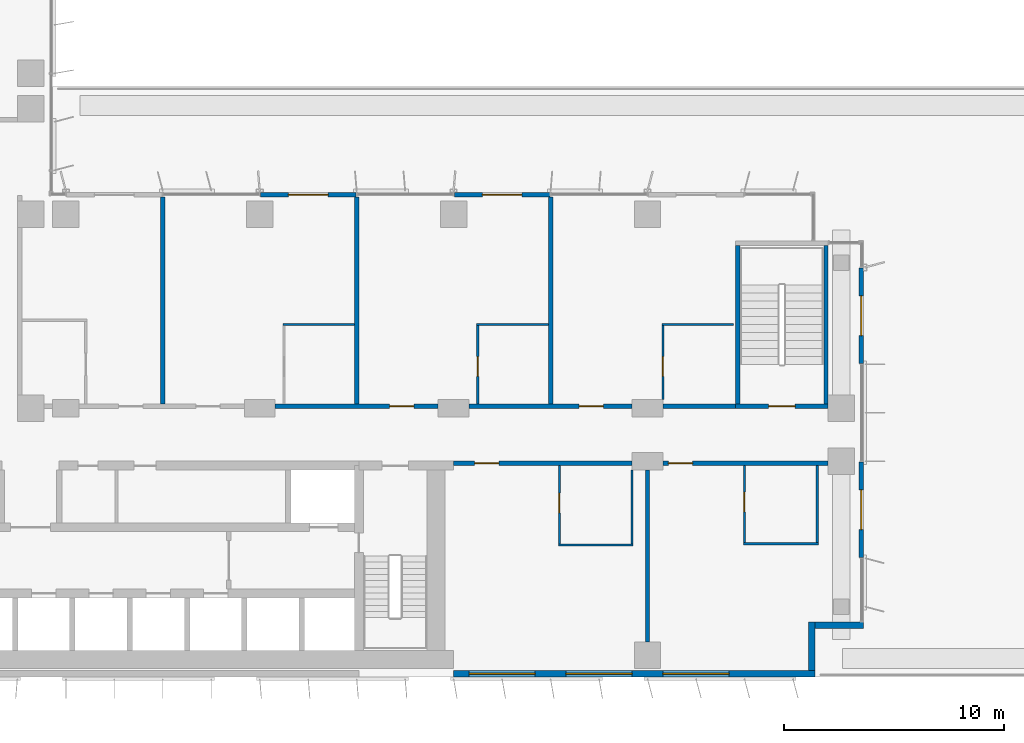
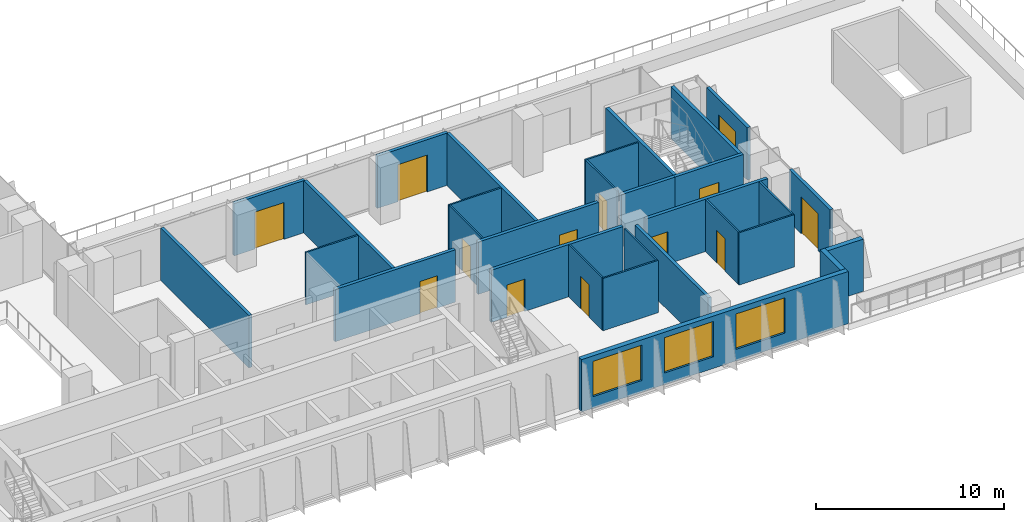
# One storey, part 16 of 27: 30 walls, 13 doors, 3 windows, 16 openings.
"""IFC4 building model written with IfcOpenShell, lengths in metres."""

from ifc_helpers import new_model, si_unit, direction, frame, frame_2d, origin, place, context, subcontext, project, spatial, rectangle, extrude, material, layer, layer_set, type_object, element, fill, save


model = new_model("IFC4")

# Units and contexts
model_context = context("Model", 3, precision=1e-05, world=origin(), true_north=direction((0.0, 1.0)))
body_context = subcontext(model_context, "Body", "Model", "MODEL_VIEW")
ifc_project = project(units=[si_unit("LENGTHUNIT", "METRE"), si_unit("AREAUNIT", "SQUARE_METRE"), si_unit("VOLUMEUNIT", "CUBIC_METRE"), si_unit("PLANEANGLEUNIT", "RADIAN"), si_unit("MASSUNIT", "GRAM", prefix="KILO")], contexts=[model_context])

# Site, building, storey
site_placement = place(None, origin())
site = spatial("IfcSite", under=ifc_project, at=site_placement, CompositionType="ELEMENT")
building_placement = place(site_placement, origin())
building = spatial("IfcBuilding", under=site, at=building_placement, Name="Kemantara Hotel Tower", CompositionType="ELEMENT")
storey_placement = place(building_placement, frame((0.0, 0.0, 83.39990234375)))
storey = spatial("IfcBuildingStorey", under=building, at=storey_placement, Name="L19", CompositionType="ELEMENT", Elevation=83.39990234375)

# Wall, openings, windows
ifc_material_1 = material(Name="Bronze anodised aluminium cladding on insulated steel stud wall", Category="steel")
ifc_layer_1 = layer(ifc_material_1, 0.300048828125)
ifc_layer_set_1 = layer_set([ifc_layer_1], Name="Bronze anodised aluminium cladding on insulated steel stud wall")
wall_type_1 = type_object("IfcWallType", Name="BRONZE METAL-CLAD EXTERNAL WALL 300", PredefinedType="STANDARD", material=ifc_layer_set_1)
wall_1_placement = place(storey_placement, frame((45.0, 0.14990234375, 0.0), z_axis=(0.0, 0.0, 1.0), x_axis=(1.0, 0.0, 0.0)))
wall_1 = element("IfcWall", 1, at=wall_1_placement, inside=storey, type_object=wall_type_1, Name="EXTERNAL WALL L19 T2-R07-3", PredefinedType="STANDARD", context=body_context, shape_type="SweptSolid", body=[
    extrude(rectangle(XDim=16.39990234375, YDim=0.300048828125, at=frame_2d((8.199951171875, 0.0))), origin(), (0.0, 0.0, 1.0), 3.400146484375),
])
opening_1_placement = place(wall_1_placement, frame((0.699951171875, 0.0, 0.75)))
opening_1 = element("IfcOpeningElement", 2, at=opening_1_placement, cuts=wall_1, Name="Opening W1", PredefinedType="OPENING", context=body_context, shape_type="SweptSolid", body=[
    extrude(rectangle(XDim=3.0, YDim=2.300048828125, at=frame_2d((1.5, 1.14990234375))), frame((0.0, 0.159912109375, 0.0), z_axis=(0.0, -1.0, 0.0), x_axis=(1.0, 0.0, 0.0)), (0.0, 0.0, 1.0), 0.320068359375),
])
opening_2_placement = place(wall_1_placement, frame((5.10009765625, 0.0, 0.75)))
opening_2 = element("IfcOpeningElement", 3, at=opening_2_placement, cuts=wall_1, Name="Opening W1", PredefinedType="OPENING", context=body_context, shape_type="SweptSolid", body=[
    extrude(rectangle(XDim=3.0, YDim=2.300048828125, at=frame_2d((1.5, 1.14990234375))), frame((0.0, 0.159912109375, 0.0), z_axis=(0.0, -1.0, 0.0), x_axis=(1.0, 0.0, 0.0)), (0.0, 0.0, 1.0), 0.320068359375),
])
opening_3_placement = place(wall_1_placement, frame((9.5, 0.0, 0.75)))
opening_3 = element("IfcOpeningElement", 4, at=opening_3_placement, cuts=wall_1, Name="Opening W1", PredefinedType="OPENING", context=body_context, shape_type="SweptSolid", body=[
    extrude(rectangle(XDim=3.0, YDim=2.300048828125, at=frame_2d((1.5, 1.14990234375))), frame((0.0, 0.159912109375, 0.0), z_axis=(0.0, -1.0, 0.0), x_axis=(1.0, 0.0, 0.0)), (0.0, 0.0, 1.0), 0.320068359375),
])
ifc_material_2 = material(Name="Low-E tinted double insulated glass in bronze anodised aluminium frame", Category="aluminium")
window_type = type_object("IfcWindowType", Name="CHICAGO WINDOW, TRIPLE PANEL 3000x2300", PartitioningType="TRIPLE_PANEL_VERTICAL", PredefinedType="WINDOW", material=ifc_material_2)
window_1_placement = place(opening_1_placement, origin())
window_1 = element("IfcWindow", 5, at=window_1_placement, inside=storey, type_object=window_type, Name="CHICAGO WINDOW L19 T2-R07-450", OverallHeight=2.300048828125, OverallWidth=3.0, PartitioningType="SINGLE_PANEL", PredefinedType="WINDOW", context=body_context, shape_type="SweptSolid", body=[
    extrude(rectangle(XDim=3.0, YDim=2.300048828125, at=frame_2d((1.5, 1.14990234375))), frame((0.0, 0.030029296875, 0.0), z_axis=(0.0, -1.0, 0.0), x_axis=(1.0, 0.0, 0.0)), (0.0, 0.0, 1.0), 0.06005859375),
])
fill(opening_1, window_1)
window_2_placement = place(opening_2_placement, origin())
window_2 = element("IfcWindow", 6, at=window_2_placement, inside=storey, type_object=window_type, Name="CHICAGO WINDOW L19 T2-R07-494", OverallHeight=2.300048828125, OverallWidth=3.0, PartitioningType="SINGLE_PANEL", PredefinedType="WINDOW", context=body_context, shape_type="SweptSolid", body=[
    extrude(rectangle(XDim=3.0, YDim=2.300048828125, at=frame_2d((1.5, 1.14990234375))), frame((0.0, 0.030029296875, 0.0), z_axis=(0.0, -1.0, 0.0), x_axis=(1.0, 0.0, 0.0)), (0.0, 0.0, 1.0), 0.06005859375),
])
fill(opening_2, window_2)
window_3_placement = place(opening_3_placement, origin())
window_3 = element("IfcWindow", 7, at=window_3_placement, inside=storey, type_object=window_type, Name="CHICAGO WINDOW L19 T2-R07-538", OverallHeight=2.300048828125, OverallWidth=3.0, PartitioningType="SINGLE_PANEL", PredefinedType="WINDOW", context=body_context, shape_type="SweptSolid", body=[
    extrude(rectangle(XDim=3.0, YDim=2.300048828125, at=frame_2d((1.5, 1.14990234375))), frame((0.0, 0.030029296875, 0.0), z_axis=(0.0, -1.0, 0.0), x_axis=(1.0, 0.0, 0.0)), (0.0, 0.0, 1.0), 0.06005859375),
])
fill(opening_3, window_3)

# Walls
wall_2_placement = place(storey_placement, frame((61.25, 0.300048828125, 0.0), z_axis=(0.0, 0.0, 1.0), x_axis=(0.0, 1.0, 0.0)))
element("IfcWall", 8, at=wall_2_placement, inside=storey, type_object=wall_type_1, Name="EXTERNAL WALL L19 T2-R08", PredefinedType="STANDARD", context=body_context, shape_type="SweptSolid", body=[
    extrude(rectangle(XDim=2.199951171875, YDim=0.300048828125, at=frame_2d((1.10009765625, 0.0))), origin(), (0.0, 0.0, 1.0), 3.400146484375),
])
wall_3_placement = place(storey_placement, frame((61.39990234375, 2.35009765625, 0.0), z_axis=(0.0, 0.0, 1.0), x_axis=(1.0, 0.0, 0.0)))
element("IfcWall", 9, at=wall_3_placement, inside=storey, type_object=wall_type_1, Name="EXTERNAL WALL L19 T2-R09", PredefinedType="STANDARD", context=body_context, shape_type="SweptSolid", body=[
    extrude(rectangle(XDim=2.2001953125, YDim=0.300048828125, at=frame_2d((1.10009765625, 0.0))), origin(), (0.0, 0.0, 1.0), 3.400146484375),
])

# Wall, opening, door
ifc_material_3 = material(Name="Gypsum board partition, steel studs and mineral wool, 200 mm", Category="steel")
ifc_layer_2 = layer(ifc_material_3, 0.199951171875)
ifc_layer_set_2 = layer_set([ifc_layer_2], Name="Gypsum board partition, steel studs and mineral wool, 200 mm")
wall_type_2 = type_object("IfcWallType", Name="CORRIDOR WALL 200", PredefinedType="PARTITIONING", material=ifc_layer_set_2)
wall_4_placement = place(storey_placement, frame((53.099853515625, 9.699951171875, 0.0), z_axis=(0.0, 0.0, 1.0), x_axis=(-1.0, 0.0, 0.0)))
wall_4 = element("IfcWall", 10, at=wall_4_placement, inside=storey, type_object=wall_type_2, Name="CORRIDOR WALL 200 001", PredefinedType="PARTITIONING", context=body_context, shape_type="SweptSolid", body=[
    extrude(rectangle(XDim=8.099853515625, YDim=0.199951171875, at=frame_2d((4.0498046875, 0.0))), origin(), (0.0, 0.0, 1.0), 3.400146484375),
])
opening_4_placement = place(wall_4_placement, frame((6.0498046875, 0.0, 0.0)))
opening_4 = element("IfcOpeningElement", 11, at=opening_4_placement, cuts=wall_4, Name="Opening F07-001", PredefinedType="OPENING", context=body_context, shape_type="SweptSolid", body=[
    extrude(rectangle(XDim=1.10009765625, YDim=2.10009765625, at=frame_2d((0.550048828125, 1.050048828125))), frame((0.0, 0.10986328125, 0.0), z_axis=(0.0, -1.0, 0.0), x_axis=(1.0, 0.0, 0.0)), (0.0, 0.0, 1.0), 0.219970703125),
])
ifc_material_4 = material(Name="Hardwood veneer door leaf with steel frame", Category="steel")
door_type_1 = type_object("IfcDoorType", Name="SUITE ENTRANCE DOOR 1100 X 2100 FD30S", OperationType="NOTDEFINED", PredefinedType="DOOR", material=ifc_material_4)
door_1_placement = place(opening_4_placement, origin())
door_1 = element("IfcDoor", 12, at=door_1_placement, inside=storey, type_object=door_type_1, Name="SUITE ENTRANCE DOOR F07-001", OperationType="SINGLE_SWING_RIGHT", OverallHeight=2.10009765625, OverallWidth=1.10009765625, PredefinedType="DOOR", context=body_context, shape_type="SweptSolid", body=[
    extrude(rectangle(XDim=1.10009765625, YDim=2.10009765625, at=frame_2d((0.550048828125, 1.050048828125))), frame((0.0, 0.02490234375, 0.0), z_axis=(0.0, -1.0, 0.0), x_axis=(1.0, 0.0, 0.0)), (0.0, 0.0, 1.0), 0.050048828125),
])
fill(opening_4, door_1)

wall_5_placement = place(storey_placement, frame((62.0, 9.699951171875, 0.0), z_axis=(0.0, 0.0, 1.0), x_axis=(-1.0, 0.0, 0.0)))
wall_5 = element("IfcWall", 13, at=wall_5_placement, inside=storey, type_object=wall_type_2, Name="CORRIDOR WALL 200 002", PredefinedType="PARTITIONING", context=body_context, shape_type="SweptSolid", body=[
    extrude(rectangle(XDim=7.5, YDim=0.199951171875, at=frame_2d((3.75, 0.0))), origin(), (0.0, 0.0, 1.0), 3.400146484375),
])
opening_5_placement = place(wall_5_placement, frame((6.14990234375, 0.0, 0.0)))
opening_5 = element("IfcOpeningElement", 14, at=opening_5_placement, cuts=wall_5, Name="Opening F07-003", PredefinedType="OPENING", context=body_context, shape_type="SweptSolid", body=[
    extrude(rectangle(XDim=1.10009765625, YDim=2.10009765625, at=frame_2d((0.550048828125, 1.050048828125))), frame((0.0, 0.10986328125, 0.0), z_axis=(0.0, -1.0, 0.0), x_axis=(1.0, 0.0, 0.0)), (0.0, 0.0, 1.0), 0.219970703125),
])
door_2_placement = place(opening_5_placement, origin())
door_2 = element("IfcDoor", 15, at=door_2_placement, inside=storey, type_object=door_type_1, Name="SUITE ENTRANCE DOOR F07-003", OperationType="SINGLE_SWING_RIGHT", OverallHeight=2.10009765625, OverallWidth=1.10009765625, PredefinedType="DOOR", context=body_context, shape_type="SweptSolid", body=[
    extrude(rectangle(XDim=1.10009765625, YDim=2.10009765625, at=frame_2d((0.550048828125, 1.050048828125))), frame((0.0, 0.02490234375, 0.0), z_axis=(0.0, -1.0, 0.0), x_axis=(1.0, 0.0, 0.0)), (0.0, 0.0, 1.0), 0.050048828125),
])
fill(opening_5, door_2)

wall_6_placement = place(storey_placement, frame((36.900146484375, 12.300048828125, 0.0), z_axis=(0.0, 0.0, 1.0), x_axis=(1.0, 0.0, 0.0)))
wall_6 = element("IfcWall", 16, at=wall_6_placement, inside=storey, type_object=wall_type_2, Name="CORRIDOR WALL 200 006", PredefinedType="PARTITIONING", context=body_context, shape_type="SweptSolid", body=[
    extrude(rectangle(XDim=7.399658203125, YDim=0.199951171875, at=frame_2d((3.69970703125, 0.0))), origin(), (0.0, 0.0, 1.0), 3.400146484375),
])
opening_6_placement = place(wall_6_placement, frame((5.199951171875, 0.0, 0.0)))
opening_6 = element("IfcOpeningElement", 17, at=opening_6_placement, cuts=wall_6, Name="Opening F07-009", PredefinedType="OPENING", context=body_context, shape_type="SweptSolid", body=[
    extrude(rectangle(XDim=1.10009765625, YDim=2.10009765625, at=frame_2d((0.550048828125, 1.050048828125))), frame((0.0, 0.10986328125, 0.0), z_axis=(0.0, -1.0, 0.0), x_axis=(1.0, 0.0, 0.0)), (0.0, 0.0, 1.0), 0.219970703125),
])
door_3_placement = place(opening_6_placement, origin())
door_3 = element("IfcDoor", 18, at=door_3_placement, inside=storey, type_object=door_type_1, Name="SUITE ENTRANCE DOOR F07-009", OperationType="SINGLE_SWING_LEFT", OverallHeight=2.10009765625, OverallWidth=1.10009765625, PredefinedType="DOOR", context=body_context, shape_type="SweptSolid", body=[
    extrude(rectangle(XDim=1.10009765625, YDim=2.10009765625, at=frame_2d((0.550048828125, 1.050048828125))), frame((0.0, 0.02490234375, 0.0), z_axis=(0.0, -1.0, 0.0), x_axis=(1.0, 0.0, 0.0)), (0.0, 0.0, 1.0), 0.050048828125),
])
fill(opening_6, door_3)

wall_7_placement = place(storey_placement, frame((45.7001953125, 12.300048828125, 0.0), z_axis=(0.0, 0.0, 1.0), x_axis=(1.0, 0.0, 0.0)))
wall_7 = element("IfcWall", 19, at=wall_7_placement, inside=storey, type_object=wall_type_2, Name="CORRIDOR WALL 200 007", PredefinedType="PARTITIONING", context=body_context, shape_type="SweptSolid", body=[
    extrude(rectangle(XDim=7.399658203125, YDim=0.199951171875, at=frame_2d((3.69970703125, 0.0))), origin(), (0.0, 0.0, 1.0), 3.400146484375),
])
opening_7_placement = place(wall_7_placement, frame((5.0, 0.0, 0.0)))
opening_7 = element("IfcOpeningElement", 20, at=opening_7_placement, cuts=wall_7, Name="Opening F07-011", PredefinedType="OPENING", context=body_context, shape_type="SweptSolid", body=[
    extrude(rectangle(XDim=1.10009765625, YDim=2.10009765625, at=frame_2d((0.550048828125, 1.050048828125))), frame((0.0, 0.10986328125, 0.0), z_axis=(0.0, -1.0, 0.0), x_axis=(1.0, 0.0, 0.0)), (0.0, 0.0, 1.0), 0.219970703125),
])
door_4_placement = place(opening_7_placement, origin())
door_4 = element("IfcDoor", 21, at=door_4_placement, inside=storey, type_object=door_type_1, Name="SUITE ENTRANCE DOOR F07-011", OperationType="SINGLE_SWING_LEFT", OverallHeight=2.10009765625, OverallWidth=1.10009765625, PredefinedType="DOOR", context=body_context, shape_type="SweptSolid", body=[
    extrude(rectangle(XDim=1.10009765625, YDim=2.10009765625, at=frame_2d((0.550048828125, 1.050048828125))), frame((0.0, 0.02490234375, 0.0), z_axis=(0.0, -1.0, 0.0), x_axis=(1.0, 0.0, 0.0)), (0.0, 0.0, 1.0), 0.050048828125),
])
fill(opening_7, door_4)

# Wall
wall_8_placement = place(storey_placement, frame((54.5, 12.300048828125, 0.0), z_axis=(0.0, 0.0, 1.0), x_axis=(1.0, 0.0, 0.0)))
element("IfcWall", 22, at=wall_8_placement, inside=storey, type_object=wall_type_2, Name="CORRIDOR WALL 200 008", PredefinedType="PARTITIONING", context=body_context, shape_type="SweptSolid", body=[
    extrude(rectangle(XDim=3.300048828125, YDim=0.199951171875, at=frame_2d((1.64990234375, 0.0))), origin(), (0.0, 0.0, 1.0), 3.400146484375),
])

# Wall, opening, door
ifc_material_5 = material(Name="Concrete fc 40 MPa", Category="concrete")
ifc_layer_3 = layer(ifc_material_5, 0.199951171875)
ifc_layer_set_3 = layer_set([ifc_layer_3], Name="Concrete fc 40 MPa")
wall_type_3 = type_object("IfcWallType", Name="Concrete stair wall 200 mm", PredefinedType="SHEAR", material=ifc_layer_set_3)
wall_9_placement = place(storey_placement, frame((57.800048828125, 12.300048828125, 0.0), z_axis=(0.0, 0.0, 1.0), x_axis=(1.0, 0.0, 0.0)))
wall_9 = element("IfcWall", 23, at=wall_9_placement, inside=storey, type_object=wall_type_3, Name="Stair ST3 enclosure wall with door", PredefinedType="SHEAR", context=body_context, shape_type="SweptSolid", body=[
    extrude(rectangle(XDim=4.199951171875, YDim=0.199951171875, at=frame_2d((2.10009765625, 0.0))), origin(), (0.0, 0.0, 1.0), 3.400146484375),
])
opening_8_placement = place(wall_9_placement, frame((1.5, 0.0, 0.0)))
opening_8 = element("IfcOpeningElement", 24, at=opening_8_placement, cuts=wall_9, Name="Opening ST3-C", PredefinedType="OPENING", context=body_context, shape_type="SweptSolid", body=[
    extrude(rectangle(XDim=1.199951171875, YDim=2.10009765625, at=frame_2d((0.60009765625, 1.050048828125))), frame((0.0, 0.10986328125, 0.0), z_axis=(0.0, -1.0, 0.0), x_axis=(1.0, 0.0, 0.0)), (0.0, 0.0, 1.0), 0.219970703125),
])
ifc_material_6 = material(Name="Steel fire door", Category="steel")
door_type_2 = type_object("IfcDoorType", Name="Fire door FD90 1200 x 2100", OperationType="NOTDEFINED", PredefinedType="DOOR", material=ifc_material_6)
door_5_placement = place(opening_8_placement, origin())
door_5 = element("IfcDoor", 25, at=door_5_placement, inside=storey, type_object=door_type_2, Name="Stair ST3 door", OperationType="SINGLE_SWING_RIGHT", OverallHeight=2.10009765625, OverallWidth=1.199951171875, PredefinedType="DOOR", context=body_context, shape_type="SweptSolid", body=[
    extrude(rectangle(XDim=1.199951171875, YDim=2.10009765625, at=frame_2d((0.60009765625, 1.050048828125))), frame((0.0, 0.02490234375, 0.0), z_axis=(0.0, -1.0, 0.0), x_axis=(1.0, 0.0, 0.0)), (0.0, 0.0, 1.0), 0.050048828125),
])
fill(opening_8, door_5)

# Walls
for number, where, z_axis, x_axis, name in (
    (26, (57.89990234375, 12.39990234375, 0.0), (0.0, 0.0, 1.0), (0.0, 1.0, 0.0), "Stair ST3 enclosure wall W"),
    (27, (61.89990234375, 12.39990234375, 0.0), (0.0, 0.0, 1.0), (0.0, 1.0, 0.0), "Stair ST3 enclosure wall E"),
):
    element("IfcWall", number, at=place(storey_placement, frame(where, z_axis=z_axis, x_axis=x_axis)), inside=storey, type_object=wall_type_3, Name=name, PredefinedType="SHEAR", context=body_context, shape_type="SweptSolid", body=[
        extrude(rectangle(XDim=7.2001953125, YDim=0.199951171875, at=frame_2d((3.60009765625, 0.0))), origin(), (0.0, 0.0, 1.0), 3.400146484375),
    ])
ifc_layer_4 = layer(ifc_material_3, 0.199951171875)
ifc_layer_set_4 = layer_set([ifc_layer_4], Name="Gypsum board partition, steel studs and mineral wool, 200 mm")
wall_type_4 = type_object("IfcWallType", Name="GUEST ROOM PARTY WALL 200", PredefinedType="PARTITIONING", material=ifc_layer_set_4)
wall_10_placement = place(storey_placement, frame((53.800048828125, 1.60009765625, 0.0), z_axis=(0.0, 0.0, 1.0), x_axis=(0.0, 1.0, 0.0)))
element("IfcWall", 28, at=wall_10_placement, inside=storey, type_object=wall_type_4, Name="GUEST ROOM PARTY WALL 200 003", PredefinedType="PARTITIONING", context=body_context, shape_type="SweptSolid", body=[
    extrude(rectangle(XDim=7.7998046875, YDim=0.199951171875, at=frame_2d((3.89990234375, 0.0))), origin(), (0.0, 0.0, 1.0), 3.400146484375),
])
for number, where, z_axis, x_axis, name in (
    (29, (31.800048828125, 12.39990234375, 0.0), (0.0, 0.0, 1.0), (0.0, 1.0, 0.0), "GUEST ROOM PARTY WALL 200 011"),
    (30, (40.60009765625, 12.39990234375, 0.0), (0.0, 0.0, 1.0), (0.0, 1.0, 0.0), "GUEST ROOM PARTY WALL 200 012"),
    (31, (49.39990234375, 12.39990234375, 0.0), (0.0, 0.0, 1.0), (0.0, 1.0, 0.0), "GUEST ROOM PARTY WALL 200 013"),
):
    element("IfcWall", number, at=place(storey_placement, frame(where, z_axis=z_axis, x_axis=x_axis)), inside=storey, type_object=wall_type_4, Name=name, PredefinedType="PARTITIONING", context=body_context, shape_type="SweptSolid", body=[
        extrude(rectangle(XDim=9.39990234375, YDim=0.199951171875, at=frame_2d((4.699951171875, 0.0))), origin(), (0.0, 0.0, 1.0), 3.400146484375),
    ])
ifc_material_7 = material(Name="Gypsum board partition on steel studs, 100 mm", Category="steel")
ifc_layer_5 = layer(ifc_material_7, 0.10009765625)
ifc_layer_set_5 = layer_set([ifc_layer_5], Name="Gypsum board partition on steel studs, 100 mm")
wall_type_5 = type_object("IfcWallType", Name="ROOM PARTITION 100", PredefinedType="PARTITIONING", material=ifc_layer_set_5)
wall_11_placement = place(storey_placement, frame((49.75, 6.0, 0.0), z_axis=(0.0, 0.0, 1.0), x_axis=(1.0, 0.0, 0.0)))
element("IfcWall", 32, at=wall_11_placement, inside=storey, type_object=wall_type_5, Name="ROOM PARTITION 100 045", PredefinedType="PARTITIONING", context=body_context, shape_type="SweptSolid", body=[
    extrude(rectangle(XDim=3.39990234375, YDim=0.10009765625, at=frame_2d((1.699951171875, 0.0))), origin(), (0.0, 0.0, 1.0), 3.400146484375),
])

# Wall, opening, door
wall_12_placement = place(storey_placement, frame((49.800048828125, 9.60009765625, 0.0), z_axis=(0.0, 0.0, 1.0), x_axis=(0.0, -1.0, 0.0)))
wall_12 = element("IfcWall", 33, at=wall_12_placement, inside=storey, type_object=wall_type_5, Name="ROOM PARTITION 100 046", PredefinedType="PARTITIONING", context=body_context, shape_type="SweptSolid", body=[
    extrude(rectangle(XDim=3.550048828125, YDim=0.10009765625, at=frame_2d((1.77490234375, 0.0))), origin(), (0.0, 0.0, 1.0), 3.400146484375),
])
opening_9_placement = place(wall_12_placement, frame((1.25, 0.0, 0.0)))
opening_9 = element("IfcOpeningElement", 34, at=opening_9_placement, cuts=wall_12, Name="Opening F07-002", PredefinedType="OPENING", context=body_context, shape_type="SweptSolid", body=[
    extrude(rectangle(XDim=0.89990234375, YDim=2.10009765625, at=frame_2d((0.449951171875, 1.050048828125))), frame((0.0, 0.06005859375, 0.0), z_axis=(0.0, -1.0, 0.0), x_axis=(1.0, 0.0, 0.0)), (0.0, 0.0, 1.0), 0.1201171875),
])
door_type_3 = type_object("IfcDoorType", Name="BATHROOM DOOR 900 X 2100", OperationType="NOTDEFINED", PredefinedType="DOOR", material=ifc_material_4)
door_6_placement = place(opening_9_placement, origin())
door_6 = element("IfcDoor", 35, at=door_6_placement, inside=storey, type_object=door_type_3, Name="BATHROOM DOOR F07-002", OperationType="SINGLE_SWING_LEFT", OverallHeight=2.10009765625, OverallWidth=0.89990234375, PredefinedType="DOOR", context=body_context, shape_type="SweptSolid", body=[
    extrude(rectangle(XDim=0.89990234375, YDim=2.10009765625, at=frame_2d((0.449951171875, 1.050048828125))), frame((0.0, 0.02490234375, 0.0), z_axis=(0.0, -1.0, 0.0), x_axis=(1.0, 0.0, 0.0)), (0.0, 0.0, 1.0), 0.050048828125),
])
fill(opening_9, door_6)

# Walls
wall_13_placement = place(storey_placement, frame((53.10009765625, 6.050048828125, 0.0), z_axis=(0.0, 0.0, 1.0), x_axis=(0.0, 1.0, 0.0)))
element("IfcWall", 36, at=wall_13_placement, inside=storey, type_object=wall_type_5, Name="ROOM PARTITION 100 047", PredefinedType="PARTITIONING", context=body_context, shape_type="SweptSolid", body=[
    extrude(rectangle(XDim=3.349853515625, YDim=0.10009765625, at=frame_2d((1.6748046875, 0.0))), origin(), (0.0, 0.0, 1.0), 3.400146484375),
])
wall_14_placement = place(storey_placement, frame((58.14990234375, 6.050048828125, 0.0), z_axis=(0.0, 0.0, 1.0), x_axis=(1.0, 0.0, 0.0)))
element("IfcWall", 37, at=wall_14_placement, inside=storey, type_object=wall_type_5, Name="ROOM PARTITION 100 048", PredefinedType="PARTITIONING", context=body_context, shape_type="SweptSolid", body=[
    extrude(rectangle(XDim=3.400146484375, YDim=0.10009765625, at=frame_2d((1.7001953125, 0.0))), origin(), (0.0, 0.0, 1.0), 3.400146484375),
])

# Wall, opening, door
wall_15_placement = place(storey_placement, frame((58.199951171875, 9.60009765625, 0.0), z_axis=(0.0, 0.0, 1.0), x_axis=(0.0, -1.0, 0.0)))
wall_15 = element("IfcWall", 38, at=wall_15_placement, inside=storey, type_object=wall_type_5, Name="ROOM PARTITION 100 049", PredefinedType="PARTITIONING", context=body_context, shape_type="SweptSolid", body=[
    extrude(rectangle(XDim=3.5, YDim=0.10009765625, at=frame_2d((1.75, 0.0))), origin(), (0.0, 0.0, 1.0), 3.400146484375),
])
opening_10_placement = place(wall_15_placement, frame((1.199951171875, 0.0, 0.0)))
opening_10 = element("IfcOpeningElement", 39, at=opening_10_placement, cuts=wall_15, Name="Opening F07-004", PredefinedType="OPENING", context=body_context, shape_type="SweptSolid", body=[
    extrude(rectangle(XDim=0.89990234375, YDim=2.10009765625, at=frame_2d((0.449951171875, 1.050048828125))), frame((0.0, 0.06005859375, 0.0), z_axis=(0.0, -1.0, 0.0), x_axis=(1.0, 0.0, 0.0)), (0.0, 0.0, 1.0), 0.1201171875),
])
door_7_placement = place(opening_10_placement, origin())
door_7 = element("IfcDoor", 40, at=door_7_placement, inside=storey, type_object=door_type_3, Name="BATHROOM DOOR F07-004", OperationType="SINGLE_SWING_LEFT", OverallHeight=2.10009765625, OverallWidth=0.89990234375, PredefinedType="DOOR", context=body_context, shape_type="SweptSolid", body=[
    extrude(rectangle(XDim=0.89990234375, YDim=2.10009765625, at=frame_2d((0.449951171875, 1.050048828125))), frame((0.0, 0.02490234375, 0.0), z_axis=(0.0, -1.0, 0.0), x_axis=(1.0, 0.0, 0.0)), (0.0, 0.0, 1.0), 0.050048828125),
])
fill(opening_10, door_7)

# Walls
wall_16_placement = place(storey_placement, frame((61.5, 6.10009765625, 0.0), z_axis=(0.0, 0.0, 1.0), x_axis=(0.0, 1.0, 0.0)))
element("IfcWall", 41, at=wall_16_placement, inside=storey, type_object=wall_type_5, Name="ROOM PARTITION 100 050", PredefinedType="PARTITIONING", context=body_context, shape_type="SweptSolid", body=[
    extrude(rectangle(XDim=3.5, YDim=0.10009765625, at=frame_2d((1.75, 0.0))), origin(), (0.0, 0.0, 1.0), 3.400146484375),
])
for number, where, z_axis, x_axis, name in (
    (42, (37.25, 16.0, 0.0), (0.0, 0.0, 1.0), (1.0, 0.0, 0.0), "ROOM PARTITION 100 054"),
    (43, (46.050048828125, 16.0, 0.0), (0.0, 0.0, 1.0), (1.0, 0.0, 0.0), "ROOM PARTITION 100 055"),
    (44, (54.449951171875, 16.0, 0.0), (0.0, 0.0, 1.0), (1.0, 0.0, 0.0), "ROOM PARTITION 100 056"),
):
    element("IfcWall", number, at=place(storey_placement, frame(where, z_axis=z_axis, x_axis=x_axis)), inside=storey, type_object=wall_type_5, Name=name, PredefinedType="PARTITIONING", context=body_context, shape_type="SweptSolid", body=[
        extrude(rectangle(XDim=3.25, YDim=0.10009765625, at=frame_2d((1.625, 0.0))), origin(), (0.0, 0.0, 1.0), 3.400146484375),
    ])

# Wall, opening, door
wall_17_placement = place(storey_placement, frame((46.10009765625, 15.949951171875, 0.0), z_axis=(0.0, 0.0, 1.0), x_axis=(0.0, -1.0, 0.0)))
wall_17 = element("IfcWall", 45, at=wall_17_placement, inside=storey, type_object=wall_type_5, Name="ROOM PARTITION 100 058", PredefinedType="PARTITIONING", context=body_context, shape_type="SweptSolid", body=[
    extrude(rectangle(XDim=3.550048828125, YDim=0.10009765625, at=frame_2d((1.77490234375, 0.0))), origin(), (0.0, 0.0, 1.0), 3.400146484375),
])
opening_11_placement = place(wall_17_placement, frame((1.39990234375, 0.0, 0.0)))
opening_11 = element("IfcOpeningElement", 46, at=opening_11_placement, cuts=wall_17, Name="Opening F07-010", PredefinedType="OPENING", context=body_context, shape_type="SweptSolid", body=[
    extrude(rectangle(XDim=0.89990234375, YDim=2.10009765625, at=frame_2d((0.449951171875, 1.050048828125))), frame((0.0, 0.06005859375, 0.0), z_axis=(0.0, -1.0, 0.0), x_axis=(1.0, 0.0, 0.0)), (0.0, 0.0, 1.0), 0.1201171875),
])
door_8_placement = place(opening_11_placement, origin())
door_8 = element("IfcDoor", 47, at=door_8_placement, inside=storey, type_object=door_type_3, Name="BATHROOM DOOR F07-010", OperationType="SINGLE_SWING_RIGHT", OverallHeight=2.10009765625, OverallWidth=0.89990234375, PredefinedType="DOOR", context=body_context, shape_type="SweptSolid", body=[
    extrude(rectangle(XDim=0.89990234375, YDim=2.10009765625, at=frame_2d((0.449951171875, 1.050048828125))), frame((0.0, 0.02490234375, 0.0), z_axis=(0.0, -1.0, 0.0), x_axis=(1.0, 0.0, 0.0)), (0.0, 0.0, 1.0), 0.050048828125),
])
fill(opening_11, door_8)

wall_18_placement = place(storey_placement, frame((54.5, 15.949951171875, 0.0), z_axis=(0.0, 0.0, 1.0), x_axis=(0.0, -1.0, 0.0)))
wall_18 = element("IfcWall", 48, at=wall_18_placement, inside=storey, type_object=wall_type_5, Name="ROOM PARTITION 100 059", PredefinedType="PARTITIONING", context=body_context, shape_type="SweptSolid", body=[
    extrude(rectangle(XDim=3.349853515625, YDim=0.10009765625, at=frame_2d((1.6748046875, 0.0))), origin(), (0.0, 0.0, 1.0), 3.400146484375),
])
opening_12_placement = place(wall_18_placement, frame((1.39990234375, 0.0, 0.0)))
opening_12 = element("IfcOpeningElement", 49, at=opening_12_placement, cuts=wall_18, Name="Opening F07-012", PredefinedType="OPENING", context=body_context, shape_type="SweptSolid", body=[
    extrude(rectangle(XDim=0.89990234375, YDim=2.10009765625, at=frame_2d((0.449951171875, 1.050048828125))), frame((0.0, 0.06005859375, 0.0), z_axis=(0.0, -1.0, 0.0), x_axis=(1.0, 0.0, 0.0)), (0.0, 0.0, 1.0), 0.1201171875),
])
door_9_placement = place(opening_12_placement, origin())
door_9 = element("IfcDoor", 50, at=door_9_placement, inside=storey, type_object=door_type_3, Name="BATHROOM DOOR F07-012", OperationType="SINGLE_SWING_RIGHT", OverallHeight=2.10009765625, OverallWidth=0.89990234375, PredefinedType="DOOR", context=body_context, shape_type="SweptSolid", body=[
    extrude(rectangle(XDim=0.89990234375, YDim=2.10009765625, at=frame_2d((0.449951171875, 1.050048828125))), frame((0.0, 0.02490234375, 0.0), z_axis=(0.0, -1.0, 0.0), x_axis=(1.0, 0.0, 0.0)), (0.0, 0.0, 1.0), 0.050048828125),
])
fill(opening_12, door_9)

ifc_material_8 = material(Name="Bronze ceramic cladding on insulated steel stud wall", Category="steel")
ifc_layer_6 = layer(ifc_material_8, 0.199951171875)
ifc_layer_set_6 = layer_set([ifc_layer_6], Name="Bronze ceramic cladding on insulated steel stud wall")
wall_type_6 = type_object("IfcWallType", Name="TERRACE DOOR BAY WALL 200", PredefinedType="STANDARD", material=ifc_layer_set_6)
wall_19_placement = place(storey_placement, frame((63.5, 5.429931640625, 0.0), z_axis=(0.0, 0.0, 1.0), x_axis=(0.0, 1.0, 0.0)))
wall_19 = element("IfcWall", 51, at=wall_19_placement, inside=storey, type_object=wall_type_6, Name="TERRACE DOOR BAY WALL L19 T2-R10-1", PredefinedType="STANDARD", context=body_context, shape_type="SweptSolid", body=[
    extrude(rectangle(XDim=4.340087890625, YDim=0.199951171875, at=frame_2d((2.169921875, 0.0))), origin(), (0.0, 0.0, 1.0), 3.400146484375),
])
opening_13_placement = place(wall_19_placement, frame((1.27001953125, 0.0, 0.0)))
opening_13 = element("IfcOpeningElement", 52, at=opening_13_placement, cuts=wall_19, Name="Opening TD-L19-01", PredefinedType="OPENING", context=body_context, shape_type="SweptSolid", body=[
    extrude(rectangle(XDim=1.800048828125, YDim=2.39990234375, at=frame_2d((0.89990234375, 1.199951171875))), frame((0.0, 0.10986328125, 0.0), z_axis=(0.0, -1.0, 0.0), x_axis=(1.0, 0.0, 0.0)), (0.0, 0.0, 1.0), 0.219970703125),
])
ifc_material_9 = material(Name="Toughened tinted glass in bronze anodised aluminium frame", Category="aluminium")
door_type_4 = type_object("IfcDoorType", Name="TERRACE DOOR, DOUBLE LEAF GLAZED 1800x2400", OperationType="DOUBLE_DOOR_SINGLE_SWING", PredefinedType="DOOR", material=ifc_material_9)
door_10_placement = place(opening_13_placement, origin())
door_10 = element("IfcDoor", 53, at=door_10_placement, inside=storey, type_object=door_type_4, Name="TERRACE DOOR L19 T2-R10-1", OperationType="SINGLE_SWING_LEFT", OverallHeight=2.39990234375, OverallWidth=1.800048828125, PredefinedType="DOOR", context=body_context, shape_type="SweptSolid", body=[
    extrude(rectangle(XDim=1.800048828125, YDim=2.39990234375, at=frame_2d((0.89990234375, 1.199951171875))), frame((0.0, 0.02490234375, 0.0), z_axis=(0.0, -1.0, 0.0), x_axis=(1.0, 0.0, 0.0)), (0.0, 0.0, 1.0), 0.050048828125),
])
fill(opening_13, door_10)

wall_20_placement = place(storey_placement, frame((63.5, 14.22998046875, 0.0), z_axis=(0.0, 0.0, 1.0), x_axis=(0.0, 1.0, 0.0)))
wall_20 = element("IfcWall", 54, at=wall_20_placement, inside=storey, type_object=wall_type_6, Name="TERRACE DOOR BAY WALL L19 T2-R10-2", PredefinedType="STANDARD", context=body_context, shape_type="SweptSolid", body=[
    extrude(rectangle(XDim=4.340087890625, YDim=0.199951171875, at=frame_2d((2.169921875, 0.0))), origin(), (0.0, 0.0, 1.0), 3.400146484375),
])
opening_14_placement = place(wall_20_placement, frame((1.27001953125, 0.0, 0.0)))
opening_14 = element("IfcOpeningElement", 55, at=opening_14_placement, cuts=wall_20, Name="Opening TD-L19-02", PredefinedType="OPENING", context=body_context, shape_type="SweptSolid", body=[
    extrude(rectangle(XDim=1.800048828125, YDim=2.39990234375, at=frame_2d((0.89990234375, 1.199951171875))), frame((0.0, 0.10986328125, 0.0), z_axis=(0.0, -1.0, 0.0), x_axis=(1.0, 0.0, 0.0)), (0.0, 0.0, 1.0), 0.219970703125),
])
door_11_placement = place(opening_14_placement, origin())
door_11 = element("IfcDoor", 56, at=door_11_placement, inside=storey, type_object=door_type_4, Name="TERRACE DOOR L19 T2-R10-2", OperationType="SINGLE_SWING_LEFT", OverallHeight=2.39990234375, OverallWidth=1.800048828125, PredefinedType="DOOR", context=body_context, shape_type="SweptSolid", body=[
    extrude(rectangle(XDim=1.800048828125, YDim=2.39990234375, at=frame_2d((0.89990234375, 1.199951171875))), frame((0.0, 0.02490234375, 0.0), z_axis=(0.0, -1.0, 0.0), x_axis=(1.0, 0.0, 0.0)), (0.0, 0.0, 1.0), 0.050048828125),
])
fill(opening_14, door_11)

wall_21_placement = place(storey_placement, frame((49.3701171875, 21.89990234375, 0.0), z_axis=(0.0, 0.0, 1.0), x_axis=(-1.0, 0.0, 0.0)))
wall_21 = element("IfcWall", 57, at=wall_21_placement, inside=storey, type_object=wall_type_6, Name="TERRACE DOOR BAY WALL L19 T2-R13-2", PredefinedType="STANDARD", context=body_context, shape_type="SweptSolid", body=[
    extrude(rectangle(XDim=4.340087890625, YDim=0.199951171875, at=frame_2d((2.169921875, 0.0))), origin(), (0.0, 0.0, 1.0), 3.400146484375),
])
opening_15_placement = place(wall_21_placement, frame((1.27001953125, 0.0, 0.0)))
opening_15 = element("IfcOpeningElement", 58, at=opening_15_placement, cuts=wall_21, Name="Opening TD-L19-02", PredefinedType="OPENING", context=body_context, shape_type="SweptSolid", body=[
    extrude(rectangle(XDim=1.800048828125, YDim=2.39990234375, at=frame_2d((0.89990234375, 1.199951171875))), frame((0.0, 0.10986328125, 0.0), z_axis=(0.0, -1.0, 0.0), x_axis=(1.0, 0.0, 0.0)), (0.0, 0.0, 1.0), 0.219970703125),
])
door_12_placement = place(opening_15_placement, origin())
door_12 = element("IfcDoor", 59, at=door_12_placement, inside=storey, type_object=door_type_4, Name="TERRACE DOOR L19 T2-R13-2", OperationType="SINGLE_SWING_LEFT", OverallHeight=2.39990234375, OverallWidth=1.800048828125, PredefinedType="DOOR", context=body_context, shape_type="SweptSolid", body=[
    extrude(rectangle(XDim=1.800048828125, YDim=2.39990234375, at=frame_2d((0.89990234375, 1.199951171875))), frame((0.0, 0.02490234375, 0.0), z_axis=(0.0, -1.0, 0.0), x_axis=(1.0, 0.0, 0.0)), (0.0, 0.0, 1.0), 0.050048828125),
])
fill(opening_15, door_12)

wall_22_placement = place(storey_placement, frame((40.570068359375, 21.89990234375, 0.0), z_axis=(0.0, 0.0, 1.0), x_axis=(-1.0, 0.0, 0.0)))
wall_22 = element("IfcWall", 60, at=wall_22_placement, inside=storey, type_object=wall_type_6, Name="TERRACE DOOR BAY WALL L19 T2-R13-3", PredefinedType="STANDARD", context=body_context, shape_type="SweptSolid", body=[
    extrude(rectangle(XDim=4.340087890625, YDim=0.199951171875, at=frame_2d((2.169921875, 0.0))), origin(), (0.0, 0.0, 1.0), 3.400146484375),
])
opening_16_placement = place(wall_22_placement, frame((1.27001953125, 0.0, 0.0)))
opening_16 = element("IfcOpeningElement", 61, at=opening_16_placement, cuts=wall_22, Name="Opening TD-L19-03", PredefinedType="OPENING", context=body_context, shape_type="SweptSolid", body=[
    extrude(rectangle(XDim=1.800048828125, YDim=2.39990234375, at=frame_2d((0.89990234375, 1.199951171875))), frame((0.0, 0.10986328125, 0.0), z_axis=(0.0, -1.0, 0.0), x_axis=(1.0, 0.0, 0.0)), (0.0, 0.0, 1.0), 0.219970703125),
])
door_13_placement = place(opening_16_placement, origin())
door_13 = element("IfcDoor", 62, at=door_13_placement, inside=storey, type_object=door_type_4, Name="TERRACE DOOR L19 T2-R13-3", OperationType="SINGLE_SWING_LEFT", OverallHeight=2.39990234375, OverallWidth=1.800048828125, PredefinedType="DOOR", context=body_context, shape_type="SweptSolid", body=[
    extrude(rectangle(XDim=1.800048828125, YDim=2.39990234375, at=frame_2d((0.89990234375, 1.199951171875))), frame((0.0, 0.02490234375, 0.0), z_axis=(0.0, -1.0, 0.0), x_axis=(1.0, 0.0, 0.0)), (0.0, 0.0, 1.0), 0.050048828125),
])
fill(opening_16, door_13)

save(model, "model.ifc")
